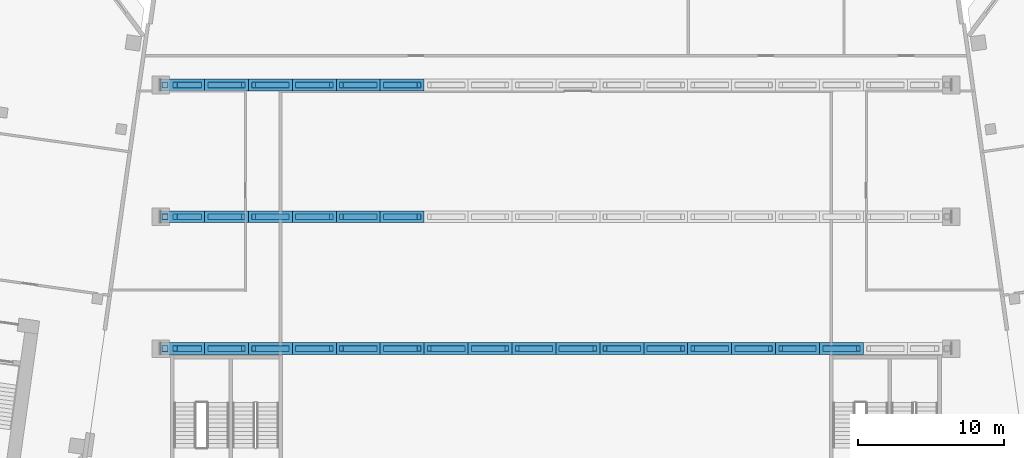
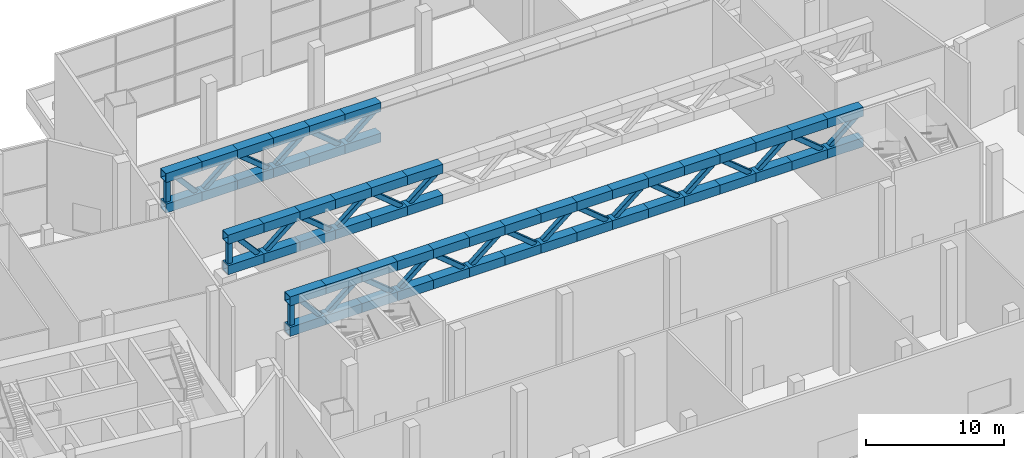
# One storey, part 4 of 31: 87 members.
"""IFC4 building model written with IfcOpenShell, lengths in metres."""

import ifcopenshell
import ifcopenshell.guid

model = None  # the IFC model being written
_history = None  # IfcOwnerHistory: only IFC2X3 demands one
_inside = {}  # id of a spatial element -> (the spatial element, [elements in it])
_under = {}  # id of a project, library or spatial element -> (it, [spatial elements below it])
_declared = {}  # id of a project -> (the project, [libraries it declares])
_typed = {}  # id of a type object -> (the type object, [elements of that type])
_made_of = {}  # id of a material, layer set ... -> (it, [elements and type objects made of it])


def new_model(schema):
    """Start an empty IFC model of exactly this schema.

    Asked for "IFC4X3", IfcOpenShell would pick the latest addendum, in which some entities
    have other attributes; the version numbers below select the first issue.
    IFC2X3 requires an IfcOwnerHistory on every rooted entity: one is made here for all.
    """
    global model, _history
    if schema == "IFC4X3":
        model = ifcopenshell.file(schema_version=(4, 3, 0, 0))
    else:
        model = ifcopenshell.file(schema=schema)
    _inside.clear()
    _under.clear()
    _declared.clear()
    _typed.clear()
    _made_of.clear()
    _history = None
    if model.schema == "IFC2X3":
        org = make("IfcOrganization", Name="unknown")
        user = make(
            "IfcPersonAndOrganization",
            ThePerson=make("IfcPerson", FamilyName="unknown"),
            TheOrganization=org,
        )
        app = make(
            "IfcApplication",
            ApplicationDeveloper=org,
            Version="unknown",
            ApplicationFullName="unknown",
            ApplicationIdentifier="unknown",
        )
        _history = make(
            "IfcOwnerHistory",
            OwningUser=user,
            OwningApplication=app,
            ChangeAction="ADDED",
            CreationDate=0,
        )
    return model


def make(cls, **values):
    """One entity of the class cls with the attributes given. An attribute that is None is left unset."""
    return model.create_entity(
        cls, **{name: value for name, value in values.items() if value is not None}
    )


def rooted(cls, **values):
    """An entity with a GlobalId (a new one), such as an element, a storey or a relation."""
    return make(cls, GlobalId=ifcopenshell.guid.new(), OwnerHistory=_history, **values)


def si_unit(unit_type, name, prefix=None):
    """IfcSIUnit, for example si_unit("LENGTHUNIT", "METRE", prefix="MILLI")."""
    return make("IfcSIUnit", UnitType=unit_type, Prefix=prefix, Name=name)


def assignment(units):
    """IfcUnitAssignment: the units of a project."""
    return None if units is None else make("IfcUnitAssignment", Units=units)


def point(xyz):
    """IfcCartesianPoint."""
    return None if xyz is None else make("IfcCartesianPoint", Coordinates=xyz)


def direction(xyz):
    """IfcDirection."""
    return None if xyz is None else make("IfcDirection", DirectionRatios=xyz)


def frame(location, z_axis=None, x_axis=None):
    """IfcAxis2Placement3D, a coordinate frame: its origin and axes. An axis left out is left unset."""
    return make(
        "IfcAxis2Placement3D",
        Location=point(location),
        Axis=direction(z_axis),
        RefDirection=direction(x_axis),
    )


def frame_2d(location, x_axis=None):
    """IfcAxis2Placement2D, a coordinate frame in the plane: its origin and x axis."""
    return make(
        "IfcAxis2Placement2D", Location=point(location), RefDirection=direction(x_axis)
    )


def origin():
    """The frame at (0, 0, 0) with its axes left unset."""
    return frame((0.0, 0.0, 0.0))


def origin_2d():
    """The frame at (0, 0) in the plane with its x axis left unset."""
    return frame_2d((0.0, 0.0))


def place(relative_to, where):
    """IfcLocalPlacement: puts the frame where relative to a parent placement (None: the world)."""
    return make(
        "IfcLocalPlacement", PlacementRelTo=relative_to, RelativePlacement=where
    )


def context(
    kind, dimensions, precision=None, world=None, true_north=None, identifier=None
):
    """IfcGeometricRepresentationContext, for example the 3D "Model" context."""
    return make(
        "IfcGeometricRepresentationContext",
        ContextIdentifier=identifier,
        ContextType=kind,
        CoordinateSpaceDimension=dimensions,
        Precision=precision,
        WorldCoordinateSystem=world,
        TrueNorth=true_north,
    )


def subcontext(parent, identifier, kind, view, scale=None):
    """IfcGeometricRepresentationSubContext, for example "Body" below "Model"."""
    return make(
        "IfcGeometricRepresentationSubContext",
        ContextIdentifier=identifier,
        ContextType=kind,
        ParentContext=parent,
        TargetScale=scale,
        TargetView=view,
    )


def project(units=None, contexts=None):
    """IfcProject with its units and contexts."""
    return rooted(
        "IfcProject",
        Name="project",
        RepresentationContexts=contexts,
        UnitsInContext=assignment(units),
    )


def spatial(cls, under=None, at=None, **own):
    """A site, building, storey or space (cls), placed at a placement, below another one or the project."""
    s = rooted(cls, ObjectPlacement=at, **own)
    if under is not None:
        _under.setdefault(under.id(), (under, []))[1].append(s)
    return s


def profile(cls, at=None, kind="AREA", **sizes):
    """A parametric profile (cls). Its sizes go by their IFC names, for example OverallWidth=200.0."""
    return make(cls, ProfileType=kind, Position=at, **sizes)


def hollow_rectangle(**sizes):
    """IfcRectangleHollowProfileDef."""
    return profile("IfcRectangleHollowProfileDef", **sizes)


def extrude(swept, where, along, depth):
    """IfcExtrudedAreaSolid: the profile swept, set in the frame where, extruded along a direction by depth."""
    return make(
        "IfcExtrudedAreaSolid",
        SweptArea=swept,
        Position=where,
        ExtrudedDirection=direction(along),
        Depth=depth,
    )


def shape(context_of_items, identifier, shape_type, items):
    """IfcShapeRepresentation: the items that make up one representation, for example the "Body"."""
    return make(
        "IfcShapeRepresentation",
        ContextOfItems=context_of_items,
        RepresentationIdentifier=identifier,
        RepresentationType=shape_type,
        Items=items,
    )


def material(Name=None, Category=None):
    """IfcMaterial."""
    return make("IfcMaterial", Name=Name, Category=Category)


def material_profile(
    of_material, cross_section, Name=None, Category=None, Priority=None
):
    """IfcMaterialProfile: a cross section and its material."""
    return make(
        "IfcMaterialProfile",
        Name=Name,
        Material=of_material,
        Profile=cross_section,
        Priority=Priority,
        Category=Category,
    )


def profile_set(profiles, Name=None, composite=None):
    """IfcMaterialProfileSet."""
    return make(
        "IfcMaterialProfileSet",
        Name=Name,
        MaterialProfiles=profiles,
        CompositeProfile=composite,
    )


def made_of(thing, what):
    """Note that an element or type object is made of a material, layer set ...; save() writes the relation."""
    if what is not None:
        _made_of.setdefault(what.id(), (what, []))[1].append(thing)
    return thing


def type_object(cls, material=None, **own):
    """A type object (cls), such as IfcWallType, which elements share."""
    return made_of(rooted(cls, **own), material)


def element(
    cls,
    number,
    at=None,
    inside=None,
    cuts=None,
    type_object=None,
    material=None,
    context=None,
    identifier="Body",
    shape_type=None,
    held_by="IfcProductDefinitionShape",
    body=None,
    shapes=None,
    **own,
):
    """One element of the class cls, such as IfcWall. Its Tag is "e" and its number.

    at: its placement. inside: the storey or other place that contains it. cuts: it is an
    opening in that element (IfcRelVoidsElement). A single representation is given by context,
    identifier, shape_type and body (its items); several are given by shapes. held_by: the class
    of the entity that holds the representations. save() writes the other relations.
    """
    e = rooted(cls, Tag="e%d" % number, ObjectPlacement=at, **own)
    if body is not None:
        shapes = [shape(context, identifier, shape_type, body)]
    if shapes is not None:
        e.Representation = make(held_by, Representations=shapes)
    if inside is not None:
        _inside.setdefault(inside.id(), (inside, []))[1].append(e)
    if cuts is not None:
        rooted(
            "IfcRelVoidsElement", RelatingBuildingElement=cuts, RelatedOpeningElement=e
        )
    if type_object is not None:
        _typed.setdefault(type_object.id(), (type_object, []))[1].append(e)
    return made_of(e, material)


def aggregate(whole, parts):
    """IfcRelAggregates: a whole, such as a stair, and the parts it consists of."""
    return rooted("IfcRelAggregates", RelatingObject=whole, RelatedObjects=parts)


def save(model, path):
    """Write the relations noted so far, then the file.

    IfcRelAggregates (storeys below a building ...), IfcRelContainedInSpatialStructure (elements
    in a storey), IfcRelDefinesByType, IfcRelAssociatesMaterial and IfcRelDeclares: one each for
    every whole, place, type object, material and project.
    """
    for whole, parts in _under.values():
        aggregate(whole, parts)
    for where, things in _inside.values():
        rooted(
            "IfcRelContainedInSpatialStructure",
            RelatedElements=things,
            RelatingStructure=where,
        )
    for kind, things in _typed.values():
        rooted("IfcRelDefinesByType", RelatedObjects=things, RelatingType=kind)
    for what, things in _made_of.values():
        rooted("IfcRelAssociatesMaterial", RelatedObjects=things, RelatingMaterial=what)
    for by, libraries in _declared.values():
        rooted("IfcRelDeclares", RelatingContext=by, RelatedDefinitions=libraries)
    model.write(path)


model = new_model("IFC4")

# Units and contexts
model_context = context("Model", 3, precision=1e-05, world=origin(), true_north=direction((0.0, 1.0)))
body_context = subcontext(model_context, "Body", "Model", "MODEL_VIEW")
ifc_project = project(units=[si_unit("LENGTHUNIT", "METRE"), si_unit("AREAUNIT", "SQUARE_METRE"), si_unit("VOLUMEUNIT", "CUBIC_METRE"), si_unit("PLANEANGLEUNIT", "RADIAN"), si_unit("MASSUNIT", "GRAM", prefix="KILO")], contexts=[model_context])

# Site, building, storey
site_placement = place(None, origin())
site = spatial("IfcSite", under=ifc_project, at=site_placement, CompositionType="ELEMENT")
building_placement = place(site_placement, origin())
building = spatial("IfcBuilding", under=site, at=building_placement, Name="Mirante Cascada Hotel Towers", CompositionType="ELEMENT")
storey_placement = place(building_placement, frame((0.0, 0.0, 9.0)))
storey = spatial("IfcBuildingStorey", under=building, at=storey_placement, Name="L01", CompositionType="ELEMENT", Elevation=9.0)

# Members
ifc_material_1 = material(Name="ASTM A572 Gr 50", Category="steel")
ifc_material_profile_1 = material_profile(ifc_material_1, hollow_rectangle(XDim=0.8, YDim=0.8, WallThickness=0.05, at=origin_2d()), Name="BOX 800x800x50")
ifc_profile_set_1 = profile_set([ifc_material_profile_1], Name="ASTM A572 Gr 50")
member_type_1 = type_object("IfcMemberType", Name="Truss chord BOX 800x800x50 ASTM A572 Gr 50", PredefinedType="CHORD", material=ifc_profile_set_1)
for number, where, z_axis, x_axis, name in (
    (1, (-27.0, -9.0, 8.1), (1.0, 0.0, 0.0), (0.0, 1.0, 0.0), "Transfer truss 1"),
    (2, (-27.0, -9.0, 5.4), (1.0, 0.0, 0.0), (0.0, 1.0, 0.0), "Transfer truss 1"),
    (3, (-24.0, -9.0, 8.1), (1.0, 0.0, 0.0), (0.0, 1.0, 0.0), "Transfer truss 1"),
    (4, (-24.0, -9.0, 5.4), (1.0, 0.0, 0.0), (0.0, 1.0, 0.0), "Transfer truss 1"),
    (5, (-21.0, -9.0, 8.1), (1.0, 0.0, 0.0), (0.0, 1.0, 0.0), "Transfer truss 1"),
    (6, (-21.0, -9.0, 5.4), (1.0, 0.0, 0.0), (0.0, 1.0, 0.0), "Transfer truss 1"),
    (7, (-18.0, -9.0, 8.1), (1.0, 0.0, 0.0), (0.0, 1.0, 0.0), "Transfer truss 1"),
    (8, (-18.0, -9.0, 5.4), (1.0, 0.0, 0.0), (0.0, 1.0, 0.0), "Transfer truss 1"),
    (9, (-15.0, -9.0, 8.1), (1.0, 0.0, 0.0), (0.0, 1.0, 0.0), "Transfer truss 1"),
    (10, (-15.0, -9.0, 5.4), (1.0, 0.0, 0.0), (0.0, 1.0, 0.0), "Transfer truss 1"),
    (11, (-12.0, -9.0, 8.1), (1.0, 0.0, 0.0), (0.0, 1.0, 0.0), "Transfer truss 1"),
    (12, (-12.0, -9.0, 5.4), (1.0, 0.0, 0.0), (0.0, 1.0, 0.0), "Transfer truss 1"),
    (13, (-9.0, -9.0, 8.1), (1.0, 0.0, 0.0), (0.0, 1.0, 0.0), "Transfer truss 1"),
    (14, (-9.0, -9.0, 5.4), (1.0, 0.0, 0.0), (0.0, 1.0, 0.0), "Transfer truss 1"),
    (15, (-6.0, -9.0, 8.1), (1.0, 0.0, 0.0), (0.0, 1.0, 0.0), "Transfer truss 1"),
    (16, (-6.0, -9.0, 5.4), (1.0, 0.0, 0.0), (0.0, 1.0, 0.0), "Transfer truss 1"),
    (17, (-3.0, -9.0, 8.1), (1.0, 0.0, 0.0), (0.0, 1.0, 0.0), "Transfer truss 1"),
    (18, (-3.0, -9.0, 5.4), (1.0, 0.0, 0.0), (0.0, 1.0, 0.0), "Transfer truss 1"),
    (19, (0.0, -9.0, 8.1), (1.0, 0.0, 0.0), (0.0, 1.0, 0.0), "Transfer truss 1"),
    (20, (0.0, -9.0, 5.4), (1.0, 0.0, 0.0), (0.0, 1.0, 0.0), "Transfer truss 1"),
    (21, (3.0, -9.0, 8.1), (1.0, 0.0, 0.0), (0.0, 1.0, 0.0), "Transfer truss 1"),
    (22, (3.0, -9.0, 5.4), (1.0, 0.0, 0.0), (0.0, 1.0, 0.0), "Transfer truss 1"),
    (23, (6.0, -9.0, 8.1), (1.0, 0.0, 0.0), (0.0, 1.0, 0.0), "Transfer truss 1"),
    (24, (6.0, -9.0, 5.4), (1.0, 0.0, 0.0), (0.0, 1.0, 0.0), "Transfer truss 1"),
    (25, (9.0, -9.0, 8.1), (1.0, 0.0, 0.0), (0.0, 1.0, 0.0), "Transfer truss 1"),
    (26, (9.0, -9.0, 5.4), (1.0, 0.0, 0.0), (0.0, 1.0, 0.0), "Transfer truss 1"),
    (27, (12.0, -9.0, 8.1), (1.0, 0.0, 0.0), (0.0, 1.0, 0.0), "Transfer truss 1"),
    (28, (12.0, -9.0, 5.4), (1.0, 0.0, 0.0), (0.0, 1.0, 0.0), "Transfer truss 1"),
    (29, (15.0, -9.0, 8.1), (1.0, 0.0, 0.0), (0.0, 1.0, 0.0), "Transfer truss 1"),
    (30, (15.0, -9.0, 5.4), (1.0, 0.0, 0.0), (0.0, 1.0, 0.0), "Transfer truss 1"),
    (31, (18.0, -9.0, 8.1), (1.0, 0.0, 0.0), (0.0, 1.0, 0.0), "Transfer truss 1"),
    (32, (18.0, -9.0, 5.4), (1.0, 0.0, 0.0), (0.0, 1.0, 0.0), "Transfer truss 1"),
    (33, (-27.0, 0.0, 8.1), (1.0, 0.0, 0.0), (0.0, 1.0, 0.0), "Transfer truss 2"),
    (34, (-27.0, 0.0, 5.4), (1.0, 0.0, 0.0), (0.0, 1.0, 0.0), "Transfer truss 2"),
    (35, (-24.0, 0.0, 8.1), (1.0, 0.0, 0.0), (0.0, 1.0, 0.0), "Transfer truss 2"),
    (36, (-24.0, 0.0, 5.4), (1.0, 0.0, 0.0), (0.0, 1.0, 0.0), "Transfer truss 2"),
    (37, (-21.0, 0.0, 8.1), (1.0, 0.0, 0.0), (0.0, 1.0, 0.0), "Transfer truss 2"),
    (38, (-21.0, 0.0, 5.4), (1.0, 0.0, 0.0), (0.0, 1.0, 0.0), "Transfer truss 2"),
    (39, (-18.0, 0.0, 8.1), (1.0, 0.0, 0.0), (0.0, 1.0, 0.0), "Transfer truss 2"),
    (40, (-18.0, 0.0, 5.4), (1.0, 0.0, 0.0), (0.0, 1.0, 0.0), "Transfer truss 2"),
    (41, (-15.0, 0.0, 8.1), (1.0, 0.0, 0.0), (0.0, 1.0, 0.0), "Transfer truss 2"),
    (42, (-15.0, 0.0, 5.4), (1.0, 0.0, 0.0), (0.0, 1.0, 0.0), "Transfer truss 2"),
    (43, (-12.0, 0.0, 8.1), (1.0, 0.0, 0.0), (0.0, 1.0, 0.0), "Transfer truss 2"),
    (44, (-12.0, 0.0, 5.4), (1.0, 0.0, 0.0), (0.0, 1.0, 0.0), "Transfer truss 2"),
    (45, (-27.0, 9.0, 8.1), (1.0, 0.0, 0.0), (0.0, 1.0, 0.0), "Transfer truss 3"),
    (46, (-27.0, 9.0, 5.4), (1.0, 0.0, 0.0), (0.0, 1.0, 0.0), "Transfer truss 3"),
    (47, (-24.0, 9.0, 8.1), (1.0, 0.0, 0.0), (0.0, 1.0, 0.0), "Transfer truss 3"),
    (48, (-24.0, 9.0, 5.4), (1.0, 0.0, 0.0), (0.0, 1.0, 0.0), "Transfer truss 3"),
    (49, (-21.0, 9.0, 8.1), (1.0, 0.0, 0.0), (0.0, 1.0, 0.0), "Transfer truss 3"),
    (50, (-21.0, 9.0, 5.4), (1.0, 0.0, 0.0), (0.0, 1.0, 0.0), "Transfer truss 3"),
    (51, (-18.0, 9.0, 8.1), (1.0, 0.0, 0.0), (0.0, 1.0, 0.0), "Transfer truss 3"),
    (52, (-18.0, 9.0, 5.4), (1.0, 0.0, 0.0), (0.0, 1.0, 0.0), "Transfer truss 3"),
    (53, (-15.0, 9.0, 8.1), (1.0, 0.0, 0.0), (0.0, 1.0, 0.0), "Transfer truss 3"),
    (54, (-15.0, 9.0, 5.4), (1.0, 0.0, 0.0), (0.0, 1.0, 0.0), "Transfer truss 3"),
    (55, (-12.0, 9.0, 8.1), (1.0, 0.0, 0.0), (0.0, 1.0, 0.0), "Transfer truss 3"),
    (56, (-12.0, 9.0, 5.4), (1.0, 0.0, 0.0), (0.0, 1.0, 0.0), "Transfer truss 3"),
):
    element("IfcMember", number, at=place(storey_placement, frame(where, z_axis=z_axis, x_axis=x_axis)), inside=storey, type_object=member_type_1, Name=name, PredefinedType="CHORD", context=body_context, shape_type="SweptSolid", body=[
        extrude(hollow_rectangle(XDim=0.8, YDim=0.8, WallThickness=0.05, at=origin_2d()), origin(), (0.0, 0.0, 1.0), 3.0),
    ])
ifc_material_2 = material(Name="ASTM A572 Gr 50", Category="steel")
ifc_material_profile_2 = material_profile(ifc_material_2, hollow_rectangle(XDim=0.4, YDim=0.4, WallThickness=0.0159, InnerFilletRadius=0.0159, OuterFilletRadius=0.0318, at=origin_2d()), Name="HSS 400x400x16")
ifc_profile_set_2 = profile_set([ifc_material_profile_2], Name="ASTM A572 Gr 50")
member_type_2 = type_object("IfcMemberType", Name="Truss diagonal HSS 400x400x16 ASTM A572 Gr 50", PredefinedType="BRACE", material=ifc_profile_set_2)
member_1_placement = place(storey_placement, frame((-26.0, -9.0, 7.7), z_axis=(0.6556867, 0.0, -0.7550331), x_axis=(0.0, 1.0, 0.0)))
element("IfcMember", 57, at=member_1_placement, inside=storey, type_object=member_type_2, Name="Transfer truss 1", PredefinedType="BRACE", context=body_context, shape_type="SweptSolid", body=[
    extrude(hollow_rectangle(XDim=0.4, YDim=0.4, WallThickness=0.0159, InnerFilletRadius=0.0159, OuterFilletRadius=0.0318, at=origin_2d()), origin(), (0.0, 0.0, 1.0), 2.5164),
])
for number, where, z_axis, x_axis, name in (
    (58, (-23.65, -9.0, 5.8), (0.7709618, 0.0, 0.6368814), (0.0, 1.0, 0.0), "Transfer truss 1"),
    (59, (-20.65, -9.0, 7.7), (0.7709618, 0.0, -0.6368814), (0.0, 1.0, 0.0), "Transfer truss 1"),
    (60, (-17.65, -9.0, 5.8), (0.7709618, 0.0, 0.6368814), (0.0, 1.0, 0.0), "Transfer truss 1"),
    (61, (-14.65, -9.0, 7.7), (0.7709618, 0.0, -0.6368814), (0.0, 1.0, 0.0), "Transfer truss 1"),
    (62, (-11.65, -9.0, 5.8), (0.7709618, 0.0, 0.6368814), (0.0, 1.0, 0.0), "Transfer truss 1"),
    (63, (-8.65, -9.0, 7.7), (0.7709618, 0.0, -0.6368814), (0.0, 1.0, 0.0), "Transfer truss 1"),
    (64, (-5.65, -9.0, 5.8), (0.7709618, 0.0, 0.6368814), (0.0, 1.0, 0.0), "Transfer truss 1"),
    (65, (-2.65, -9.0, 7.7), (0.7709618, 0.0, -0.6368814), (0.0, 1.0, 0.0), "Transfer truss 1"),
    (66, (0.35, -9.0, 5.8), (0.7709618, 0.0, 0.6368814), (0.0, 1.0, 0.0), "Transfer truss 1"),
    (67, (3.35, -9.0, 7.7), (0.7709618, 0.0, -0.6368814), (0.0, 1.0, 0.0), "Transfer truss 1"),
    (68, (6.35, -9.0, 5.8), (0.7709618, 0.0, 0.6368814), (0.0, 1.0, 0.0), "Transfer truss 1"),
    (69, (9.35, -9.0, 7.7), (0.7709618, 0.0, -0.6368814), (0.0, 1.0, 0.0), "Transfer truss 1"),
    (70, (12.35, -9.0, 5.8), (0.7709618, 0.0, 0.6368814), (0.0, 1.0, 0.0), "Transfer truss 1"),
    (71, (15.35, -9.0, 7.7), (0.7709618, 0.0, -0.6368814), (0.0, 1.0, 0.0), "Transfer truss 1"),
    (72, (18.35, -9.0, 5.8), (0.7709618, 0.0, 0.6368814), (0.0, 1.0, 0.0), "Transfer truss 1"),
):
    element("IfcMember", number, at=place(storey_placement, frame(where, z_axis=z_axis, x_axis=x_axis)), inside=storey, type_object=member_type_2, Name=name, PredefinedType="BRACE", context=body_context, shape_type="SweptSolid", body=[
        extrude(hollow_rectangle(XDim=0.4, YDim=0.4, WallThickness=0.0159, InnerFilletRadius=0.0159, OuterFilletRadius=0.0318, at=origin_2d()), origin(), (0.0, 0.0, 1.0), 2.9833),
    ])
member_2_placement = place(storey_placement, frame((-26.0, 0.0, 7.7), z_axis=(0.6556867, 0.0, -0.7550331), x_axis=(0.0, 1.0, 0.0)))
element("IfcMember", 73, at=member_2_placement, inside=storey, type_object=member_type_2, Name="Transfer truss 2", PredefinedType="BRACE", context=body_context, shape_type="SweptSolid", body=[
    extrude(hollow_rectangle(XDim=0.4, YDim=0.4, WallThickness=0.0159, InnerFilletRadius=0.0159, OuterFilletRadius=0.0318, at=origin_2d()), origin(), (0.0, 0.0, 1.0), 2.5164),
])
for number, where, z_axis, x_axis, name in (
    (74, (-23.65, 0.0, 5.8), (0.7709618, 0.0, 0.6368814), (0.0, 1.0, 0.0), "Transfer truss 2"),
    (75, (-20.65, 0.0, 7.7), (0.7709618, 0.0, -0.6368814), (0.0, 1.0, 0.0), "Transfer truss 2"),
    (76, (-17.65, 0.0, 5.8), (0.7709618, 0.0, 0.6368814), (0.0, 1.0, 0.0), "Transfer truss 2"),
    (77, (-14.65, 0.0, 7.7), (0.7709618, 0.0, -0.6368814), (0.0, 1.0, 0.0), "Transfer truss 2"),
    (78, (-11.65, 0.0, 5.8), (0.7709618, 0.0, 0.6368814), (0.0, 1.0, 0.0), "Transfer truss 2"),
):
    element("IfcMember", number, at=place(storey_placement, frame(where, z_axis=z_axis, x_axis=x_axis)), inside=storey, type_object=member_type_2, Name=name, PredefinedType="BRACE", context=body_context, shape_type="SweptSolid", body=[
        extrude(hollow_rectangle(XDim=0.4, YDim=0.4, WallThickness=0.0159, InnerFilletRadius=0.0159, OuterFilletRadius=0.0318, at=origin_2d()), origin(), (0.0, 0.0, 1.0), 2.9833),
    ])
member_3_placement = place(storey_placement, frame((-26.0, 9.0, 7.7), z_axis=(0.6556867, 0.0, -0.7550331), x_axis=(0.0, 1.0, 0.0)))
element("IfcMember", 79, at=member_3_placement, inside=storey, type_object=member_type_2, Name="Transfer truss 3", PredefinedType="BRACE", context=body_context, shape_type="SweptSolid", body=[
    extrude(hollow_rectangle(XDim=0.4, YDim=0.4, WallThickness=0.0159, InnerFilletRadius=0.0159, OuterFilletRadius=0.0318, at=origin_2d()), origin(), (0.0, 0.0, 1.0), 2.5164),
])
for number, where, z_axis, x_axis, name in (
    (80, (-23.65, 9.0, 5.8), (0.7709618, 0.0, 0.6368814), (0.0, 1.0, 0.0), "Transfer truss 3"),
    (81, (-20.65, 9.0, 7.7), (0.7709618, 0.0, -0.6368814), (0.0, 1.0, 0.0), "Transfer truss 3"),
    (82, (-17.65, 9.0, 5.8), (0.7709618, 0.0, 0.6368814), (0.0, 1.0, 0.0), "Transfer truss 3"),
    (83, (-14.65, 9.0, 7.7), (0.7709618, 0.0, -0.6368814), (0.0, 1.0, 0.0), "Transfer truss 3"),
    (84, (-11.65, 9.0, 5.8), (0.7709618, 0.0, 0.6368814), (0.0, 1.0, 0.0), "Transfer truss 3"),
):
    element("IfcMember", number, at=place(storey_placement, frame(where, z_axis=z_axis, x_axis=x_axis)), inside=storey, type_object=member_type_2, Name=name, PredefinedType="BRACE", context=body_context, shape_type="SweptSolid", body=[
        extrude(hollow_rectangle(XDim=0.4, YDim=0.4, WallThickness=0.0159, InnerFilletRadius=0.0159, OuterFilletRadius=0.0318, at=origin_2d()), origin(), (0.0, 0.0, 1.0), 2.9833),
    ])
ifc_material_3 = material(Name="ASTM A572 Gr 50", Category="steel")
ifc_material_profile_3 = material_profile(ifc_material_3, hollow_rectangle(XDim=0.4, YDim=0.4, WallThickness=0.0159, InnerFilletRadius=0.0159, OuterFilletRadius=0.0318, at=origin_2d()), Name="HSS 400x400x16")
ifc_profile_set_3 = profile_set([ifc_material_profile_3], Name="ASTM A572 Gr 50")
member_type_3 = type_object("IfcMemberType", Name="Truss post HSS 400x400x16 ASTM A572 Gr 50", PredefinedType="POST", material=ifc_profile_set_3)
for number, where, z_axis, x_axis, name in (
    (85, (-26.7, -9.0, 5.8), (0.0, 0.0, 1.0), (1.0, 0.0, 0.0), "Transfer truss 1"),
    (86, (-26.7, 0.0, 5.8), (0.0, 0.0, 1.0), (1.0, 0.0, 0.0), "Transfer truss 2"),
    (87, (-26.7, 9.0, 5.8), (0.0, 0.0, 1.0), (1.0, 0.0, 0.0), "Transfer truss 3"),
):
    element("IfcMember", number, at=place(storey_placement, frame(where, z_axis=z_axis, x_axis=x_axis)), inside=storey, type_object=member_type_3, Name=name, PredefinedType="POST", context=body_context, shape_type="SweptSolid", body=[
        extrude(hollow_rectangle(XDim=0.4, YDim=0.4, WallThickness=0.0159, InnerFilletRadius=0.0159, OuterFilletRadius=0.0318, at=origin_2d()), origin(), (0.0, 0.0, 1.0), 1.9),
    ])

save(model, "model.ifc")
